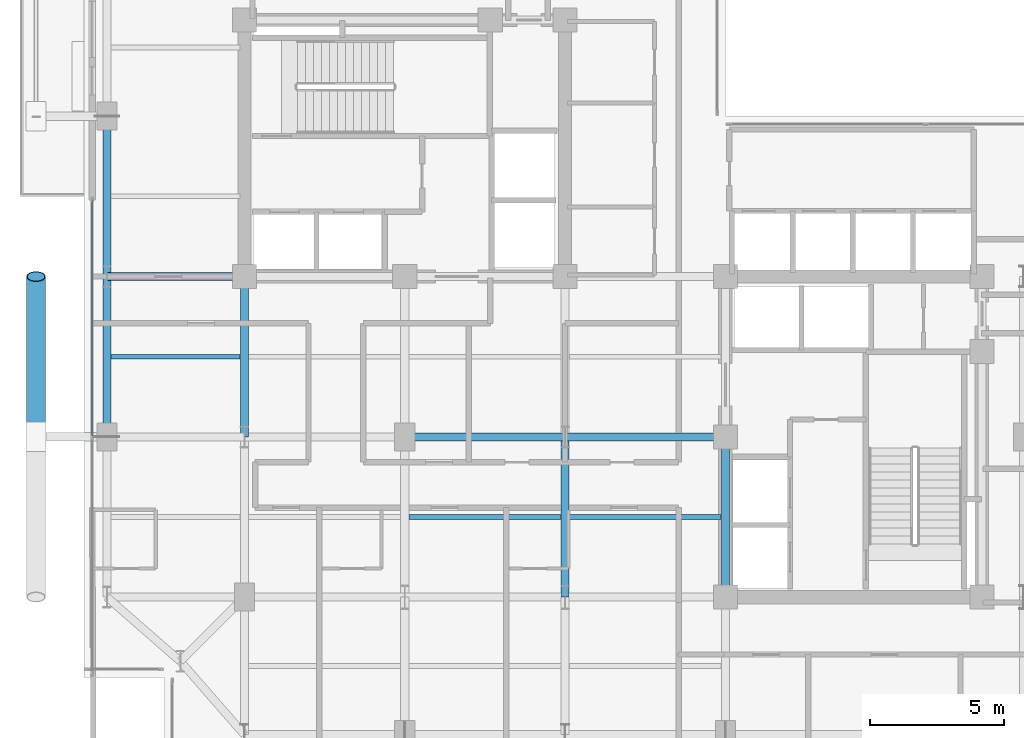
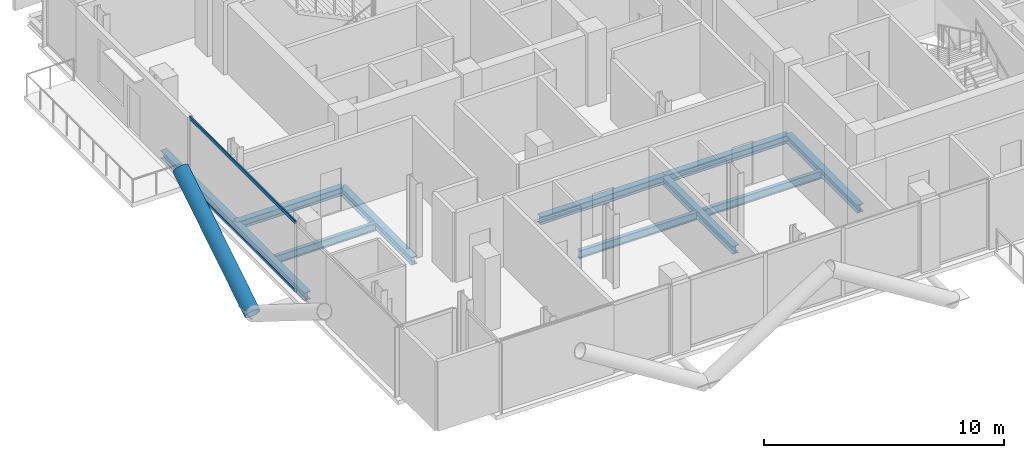
# One storey, part 6 of 28: 11 beams, 3 members, 1 element without a shape of its own.
"""IFC4 building model written with IfcOpenShell, lengths in metres."""

from ifc_helpers import new_model, si_unit, direction, frame, origin, origin_2d, place, context, subcontext, project, spatial, hollow_rectangle, hollow_circle, i_section, extrude, material, layer, layer_set, material_profile, profile_set, type_object, element, aggregate, save


model = new_model("IFC4")

# Units and contexts
model_context = context("Model", 3, precision=1e-05, world=origin(), true_north=direction((0.0, 1.0)))
body_context = subcontext(model_context, "Body", "Model", "MODEL_VIEW")
ifc_project = project(units=[si_unit("LENGTHUNIT", "METRE"), si_unit("AREAUNIT", "SQUARE_METRE"), si_unit("VOLUMEUNIT", "CUBIC_METRE"), si_unit("PLANEANGLEUNIT", "RADIAN"), si_unit("MASSUNIT", "GRAM", prefix="KILO"), si_unit("THERMODYNAMICTEMPERATUREUNIT", "KELVIN"), si_unit("POWERUNIT", "WATT")], contexts=[model_context])

# Site, building, storey
site_placement = place(None, origin())
site = spatial("IfcSite", under=ifc_project, at=site_placement, CompositionType="ELEMENT")
building_placement = place(site_placement, origin())
building = spatial("IfcBuilding", under=site, at=building_placement, Name="Svarakhadi Broadcast Tower", CompositionType="ELEMENT")
storey_placement = place(building_placement, frame((0.0, 0.0, 169.199951171875)))
storey = spatial("IfcBuildingStorey", under=building, at=storey_placement, Name="L41", CompositionType="ELEMENT", Elevation=169.199951171875)

# Beams
ifc_material_1 = material(Name="Steel S355J2 (IS 2062 E350C)", Category="steel")
ifc_material_profile_1 = material_profile(ifc_material_1, i_section(OverallWidth=0.179931640625, OverallDepth=0.39990234375, WebThickness=0.008544921875, FlangeThickness=0.013427734375, FilletRadius=0.02099609375, at=origin_2d()), Name="NPB 400x180x66")
ifc_profile_set_1 = profile_set([ifc_material_profile_1], Name="Steel S355J2 (IS 2062 E350C)")
beam_type_1 = type_object("IfcBeamType", Name="Beam_NPB400", PredefinedType="BEAM", material=ifc_profile_set_1)
beam_1_placement = place(storey_placement, frame((1.010009765625, 15.0, -0.409912109375), z_axis=(1.0, 0.0, 0.0), x_axis=(0.0, 1.0, 0.0)))
element("IfcBeam", 1, at=beam_1_placement, inside=storey, type_object=beam_type_1, Name="L41 Secondary Composite Beam SB002", PredefinedType="BEAM", context=body_context, shape_type="SweptSolid", body=[
    extrude(i_section(OverallWidth=0.179931640625, OverallDepth=0.39990234375, WebThickness=0.008544921875, FlangeThickness=0.013427734375, FilletRadius=0.02099609375, at=origin_2d()), origin(), (0.0, 0.0, 1.0), 4.830078125),
])
for number, where, z_axis, x_axis, name in (
    (2, (12.159912109375, 9.0, -0.409912109375), (1.0, 0.0, 0.0), (0.0, 1.0, 0.0), "L41 Secondary Composite Beam SB011"),
    (3, (18.159912109375, 9.0, -0.409912109375), (1.0, 0.0, 0.0), (0.0, 1.0, 0.0), "L41 Secondary Composite Beam SB015"),
):
    element("IfcBeam", number, at=place(storey_placement, frame(where, z_axis=z_axis, x_axis=x_axis)), inside=storey, type_object=beam_type_1, Name=name, PredefinedType="BEAM", context=body_context, shape_type="SweptSolid", body=[
        extrude(i_section(OverallWidth=0.179931640625, OverallDepth=0.39990234375, WebThickness=0.008544921875, FlangeThickness=0.013427734375, FilletRadius=0.02099609375, at=origin_2d()), origin(), (0.0, 0.0, 1.0), 5.68017578125),
    ])

# Curtain wall, members
ifc_material_2 = material(Name="Anodised Bronze Aluminium AA 6063-T6", Category="aluminium")
ifc_layer = layer(ifc_material_2, 0.18994140625)
ifc_layer_set = layer_set([ifc_layer], Name="Anodised Bronze Aluminium AA 6063-T6")
curtain_wall_type = type_object("IfcCurtainWallType", Name="CW_Sys_04", PredefinedType="NOTDEFINED", material=ifc_layer_set)
curtain_wall_placement = place(storey_placement, origin())
curtain_wall = element("IfcCurtainWall", 4, at=curtain_wall_placement, inside=storey, type_object=curtain_wall_type, Name="L41 West Curtain Wall 02", PredefinedType="NOTDEFINED")
ifc_material_profile_2 = material_profile(ifc_material_2, hollow_rectangle(XDim=0.06494140625, YDim=0.175048828125, WallThickness=0.0048828125, at=origin_2d()), Name="ALU TRANSOM 175x65x5")
ifc_profile_set_2 = profile_set([ifc_material_profile_2], Name="Anodised Bronze Aluminium AA 6063-T6")
member_type_1 = type_object("IfcMemberType", Name="CW_Sys_04_Trn", PredefinedType="USERDEFINED", material=ifc_profile_set_2)
member_1_placement = place(storey_placement, frame((0.300048828125, 12.034912109375, 0.032470703125), z_axis=(0.0, 1.0, 0.0), x_axis=(-1.0, 0.0, 0.0)))
member_1 = element("IfcMember", 5, at=member_1_placement, type_object=member_type_1, Name="CW-04 transom 2.1", ObjectType="TRANSOM", PredefinedType="USERDEFINED", context=body_context, shape_type="SweptSolid", body=[
    extrude(hollow_rectangle(XDim=0.06494140625, YDim=0.175048828125, WallThickness=0.0048828125, at=origin_2d()), origin(), (0.0, 0.0, 1.0), 8.80517578125),
])
member_2_placement = place(storey_placement, frame((0.300048828125, 12.034912109375, 3.507568359375), z_axis=(0.0, 1.0, 0.0), x_axis=(-1.0, 0.0, 0.0)))
member_2 = element("IfcMember", 6, at=member_2_placement, type_object=member_type_1, Name="CW-04 transom 2.2", ObjectType="TRANSOM", PredefinedType="USERDEFINED", context=body_context, shape_type="SweptSolid", body=[
    extrude(hollow_rectangle(XDim=0.06494140625, YDim=0.175048828125, WallThickness=0.0048828125, at=origin_2d()), origin(), (0.0, 0.0, 1.0), 8.80517578125),
])
aggregate(curtain_wall, [member_1, member_2])

# Member
ifc_material_3 = material(Name="Steel S460ML (IS 2062 E450BR)", Category="steel")
ifc_material_profile_3 = material_profile(ifc_material_3, hollow_circle(Radius=0.35546875, WallThickness=0.034912109375, at=origin_2d()), Name="CHS 711x35")
ifc_profile_set_3 = profile_set([ifc_material_profile_3], Name="Steel S460ML (IS 2062 E450BR)")
member_type_2 = type_object("IfcMemberType", Name="Exo_Brace_CHS711", PredefinedType="BRACE", material=ifc_profile_set_3)
member_3_placement = place(storey_placement, frame((-1.800048828125, 12.0, -0.371826171875), z_axis=(0.0, 0.847998304005, 0.529998940003), x_axis=(-1.0, 0.0, 0.0)))
element("IfcMember", 7, at=member_3_placement, inside=storey, type_object=member_type_2, Name="L41 Exposed Bronze Exoskeleton Diagonal W05", PredefinedType="BRACE", context=body_context, shape_type="SweptSolid", body=[
    extrude(hollow_circle(Radius=0.35546875, WallThickness=0.034912109375, at=origin_2d()), origin(), (0.0, 0.0, 1.0), 7.075439453125),
])

# Beams
ifc_material_profile_4 = material_profile(ifc_material_1, i_section(OverallWidth=0.300048828125, OverallDepth=0.39990234375, WebThickness=0.013427734375, FlangeThickness=0.02392578125, FilletRadius=0.027099609375, at=origin_2d()), Name="WPB 400x300x155")
ifc_profile_set_4 = profile_set([ifc_material_profile_4], Name="Steel S355J2 (IS 2062 E350C)")
beam_type_2 = type_object("IfcBeamType", Name="Girder_WPB400", PredefinedType="USERDEFINED", material=ifc_profile_set_4)
for number, where, z_axis, x_axis, name in (
    (8, (12.0, 12.0, -0.409912109375), (1.0, 0.0, 0.0), (0.0, 1.0, 0.0), "L41 Primary E-W Girder G018"),
    (9, (18.0, 12.0, -0.409912109375), (1.0, 0.0, 0.0), (0.0, 1.0, 0.0), "L41 Primary E-W Girder G019"),
):
    element("IfcBeam", number, at=place(storey_placement, frame(where, z_axis=z_axis, x_axis=x_axis)), inside=storey, type_object=beam_type_2, Name=name, ObjectType="GIRDER", PredefinedType="USERDEFINED", context=body_context, shape_type="SweptSolid", body=[
        extrude(i_section(OverallWidth=0.300048828125, OverallDepth=0.39990234375, WebThickness=0.013427734375, FlangeThickness=0.02392578125, FilletRadius=0.027099609375, at=origin_2d()), origin(), (0.0, 0.0, 1.0), 6.0),
    ])
beam_2_placement = place(storey_placement, frame((0.85009765625, 18.0, -0.409912109375), z_axis=(1.0, 0.0, 0.0), x_axis=(0.0, 1.0, 0.0)))
element("IfcBeam", 10, at=beam_2_placement, inside=storey, type_object=beam_type_2, Name="L41 Primary E-W Girder G021", ObjectType="GIRDER", PredefinedType="USERDEFINED", context=body_context, shape_type="SweptSolid", body=[
    extrude(i_section(OverallWidth=0.300048828125, OverallDepth=0.39990234375, WebThickness=0.013427734375, FlangeThickness=0.02392578125, FilletRadius=0.027099609375, at=origin_2d()), origin(), (0.0, 0.0, 1.0), 5.14990234375),
])
for number, where, z_axis, x_axis, name in (
    (11, (0.85009765625, 12.0, -0.409912109375), (0.0, 1.0, 0.0), (-1.0, 0.0, 0.0), "L41 Primary N-S Girder G036"),
    (12, (0.85009765625, 18.0, -0.409912109375), (0.0, 1.0, 0.0), (-1.0, 0.0, 0.0), "L41 Primary N-S Girder G037"),
    (13, (6.0, 12.0, -0.409912109375), (0.0, 1.0, 0.0), (-1.0, 0.0, 0.0), "L41 Primary N-S Girder G042"),
    (14, (18.0, 6.0, -0.409912109375), (0.0, 1.0, 0.0), (-1.0, 0.0, 0.0), "L41 Primary N-S Girder G050"),
    (15, (24.0, 6.0, -0.409912109375), (0.0, 1.0, 0.0), (-1.0, 0.0, 0.0), "L41 Primary N-S Girder G055"),
):
    element("IfcBeam", number, at=place(storey_placement, frame(where, z_axis=z_axis, x_axis=x_axis)), inside=storey, type_object=beam_type_2, Name=name, ObjectType="GIRDER", PredefinedType="USERDEFINED", context=body_context, shape_type="SweptSolid", body=[
        extrude(i_section(OverallWidth=0.300048828125, OverallDepth=0.39990234375, WebThickness=0.013427734375, FlangeThickness=0.02392578125, FilletRadius=0.027099609375, at=origin_2d()), origin(), (0.0, 0.0, 1.0), 6.0),
    ])

save(model, "model.ifc")
